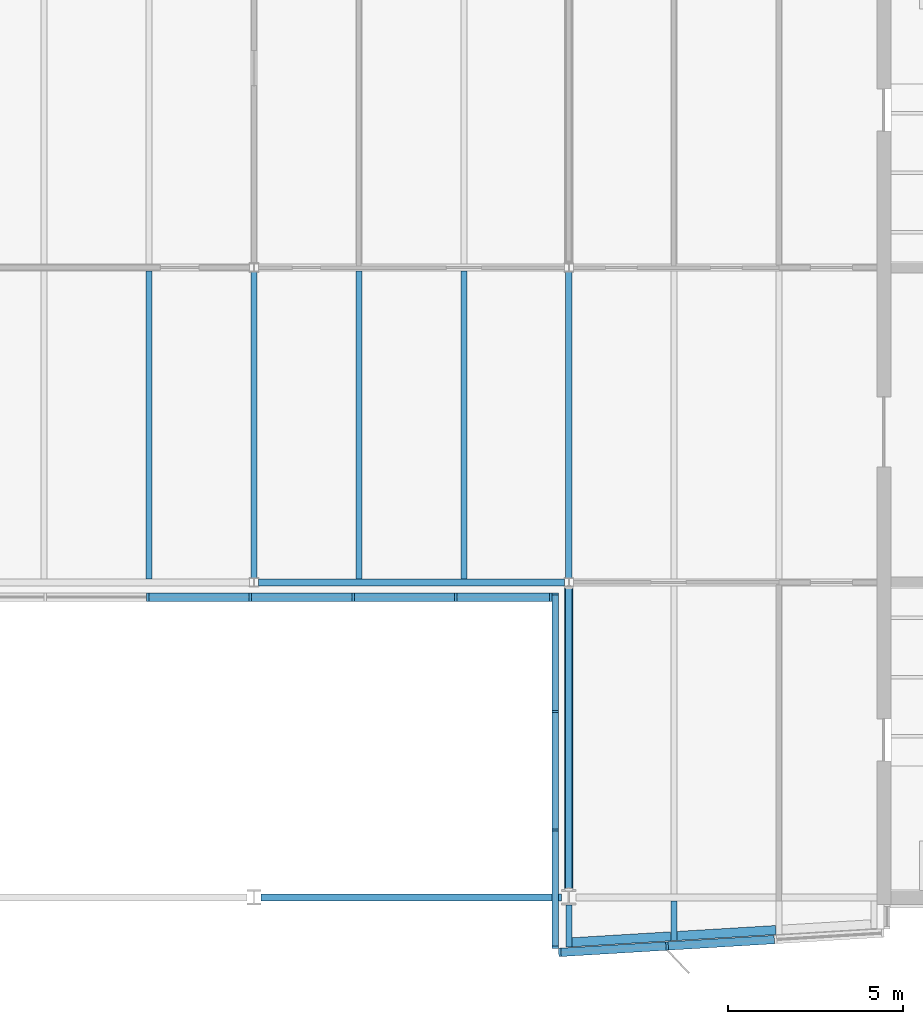
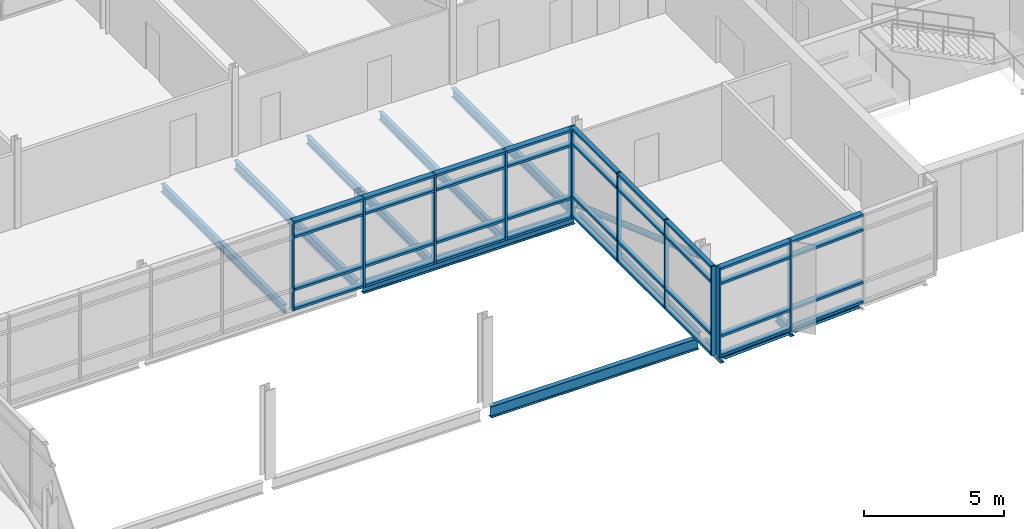
# One storey, part 6 of 20: 48 members, 12 beams, 3 elements without a shape of their own.
"""IFC4 building model written with IfcOpenShell, lengths in metres."""

from ifc_helpers import new_model, si_unit, direction, frame, origin, origin_2d, place, context, subcontext, project, spatial, rectangle, hollow_circle, i_section, extrude, material, material_profile, profile_set, type_object, element, aggregate, save


model = new_model("IFC4")

# Units and contexts
model_context = context("Model", 3, precision=1e-05, world=origin(), true_north=direction((0.0, 1.0)))
body_context = subcontext(model_context, "Body", "Model", "MODEL_VIEW")
ifc_project = project(units=[si_unit("LENGTHUNIT", "METRE"), si_unit("AREAUNIT", "SQUARE_METRE"), si_unit("VOLUMEUNIT", "CUBIC_METRE"), si_unit("PLANEANGLEUNIT", "RADIAN"), si_unit("MASSUNIT", "GRAM", prefix="KILO")], contexts=[model_context])

# Site, building, storey
site_placement = place(None, origin())
site = spatial("IfcSite", under=ifc_project, at=site_placement, CompositionType="ELEMENT")
building_placement = place(site_placement, origin())
building = spatial("IfcBuilding", under=site, at=building_placement, Name="Azimuth Sports and Learning Centre", CompositionType="ELEMENT")
storey_placement = place(building_placement, frame((0.0, 0.0, 71.39990234375)))
storey = spatial("IfcBuildingStorey", under=building, at=storey_placement, Name="L16", CompositionType="ELEMENT", Elevation=71.39990234375)

# Beams
ifc_material_1 = material(Name="Steel S355", Category="steel")
ifc_material_profile_1 = material_profile(ifc_material_1, i_section(OverallWidth=0.179931640625, OverallDepth=0.39990234375, WebThickness=0.008544921875, FlangeThickness=0.013427734375, FilletRadius=0.02099609375, at=origin_2d()), Name="IPE 400")
ifc_profile_set_1 = profile_set([ifc_material_profile_1], Name="Steel S355")
beam_type_1 = type_object("IfcBeamType", Name="Beam IPE 400", PredefinedType="BEAM", material=ifc_profile_set_1)
beam_1_placement = place(storey_placement, frame((90.0, 99.1298828125, -0.329833984375), z_axis=(0.0, 1.0, 0.0), x_axis=(-1.0, 0.0, 0.0)))
element("IfcBeam", 1, at=beam_1_placement, inside=storey, type_object=beam_type_1, Name="Tower tie", PredefinedType="BEAM", context=body_context, shape_type="SweptSolid", body=[
    extrude(i_section(OverallWidth=0.179931640625, OverallDepth=0.39990234375, WebThickness=0.008544921875, FlangeThickness=0.013427734375, FilletRadius=0.02099609375, at=origin_2d()), origin(), (0.0, 0.0, 1.0), 8.740234375),
])
beam_2_placement = place(storey_placement, frame((99.0, 90.217529296875, -0.329833984375), z_axis=(0.0, 1.0, 0.0), x_axis=(-1.0, 0.0, 0.0)))
element("IfcBeam", 2, at=beam_2_placement, inside=storey, type_object=beam_type_1, Name="Tower tie", PredefinedType="BEAM", context=body_context, shape_type="SweptSolid", body=[
    extrude(i_section(OverallWidth=0.179931640625, OverallDepth=0.39990234375, WebThickness=0.008544921875, FlangeThickness=0.013427734375, FilletRadius=0.02099609375, at=origin_2d()), origin(), (0.0, 0.0, 1.0), 8.652587890625),
])
beam_3_placement = place(storey_placement, frame((99.0, 99.1298828125, -0.329833984375), z_axis=(0.0, 1.0, 0.0), x_axis=(-1.0, 0.0, 0.0)))
element("IfcBeam", 3, at=beam_3_placement, inside=storey, type_object=beam_type_1, Name="Tower tie", PredefinedType="BEAM", context=body_context, shape_type="SweptSolid", body=[
    extrude(i_section(OverallWidth=0.179931640625, OverallDepth=0.39990234375, WebThickness=0.008544921875, FlangeThickness=0.013427734375, FilletRadius=0.02099609375, at=origin_2d()), origin(), (0.0, 0.0, 1.0), 8.740234375),
])
ifc_material_2 = material(Name="Steel S355", Category="steel")
ifc_material_profile_2 = material_profile(ifc_material_2, i_section(OverallWidth=0.199951171875, OverallDepth=0.5, WebThickness=0.01025390625, FlangeThickness=0.01611328125, FilletRadius=0.02099609375, at=origin_2d()), Name="IPE 500")
ifc_profile_set_2 = profile_set([ifc_material_profile_2], Name="Steel S355")
beam_type_2 = type_object("IfcBeamType", Name="Beam IPE 500", PredefinedType="BEAM", material=ifc_profile_set_2)
beam_4_placement = place(storey_placement, frame((90.2060546875, 90.0, -0.3798828125), z_axis=(1.0, 0.0, 0.0), x_axis=(0.0, 1.0, 0.0)))
element("IfcBeam", 4, at=beam_4_placement, inside=storey, type_object=beam_type_2, Name="Tower girder L16", PredefinedType="BEAM", context=body_context, shape_type="SweptSolid", body=[
    extrude(i_section(OverallWidth=0.199951171875, OverallDepth=0.5, WebThickness=0.01025390625, FlangeThickness=0.01611328125, FilletRadius=0.02099609375, at=origin_2d()), origin(), (0.0, 0.0, 1.0), 8.587890625),
])
beam_5_placement = place(storey_placement, frame((90.1298828125, 99.0, -0.3798828125), z_axis=(1.0, 0.0, 0.0), x_axis=(0.0, 1.0, 0.0)))
element("IfcBeam", 5, at=beam_5_placement, inside=storey, type_object=beam_type_2, Name="Tower girder L16", PredefinedType="BEAM", context=body_context, shape_type="SweptSolid", body=[
    extrude(i_section(OverallWidth=0.199951171875, OverallDepth=0.5, WebThickness=0.01025390625, FlangeThickness=0.01611328125, FilletRadius=0.02099609375, at=origin_2d()), origin(), (0.0, 0.0, 1.0), 8.740234375),
])

# Member
ifc_material_3 = material(Name="Steel S355", Category="steel")
ifc_material_profile_3 = material_profile(ifc_material_3, hollow_circle(Radius=0.122314453125, WallThickness=0.012451171875, at=origin_2d()), Name="CHS 244.5x12.5")
ifc_profile_set_3 = profile_set([ifc_material_profile_3], Name="Steel S355")
member_type_1 = type_object("IfcMemberType", Name="Brace CHS 244.5x12.5", PredefinedType="BRACE", material=ifc_profile_set_3)
member_1_placement = place(storey_placement, frame((99.0, 90.238037109375, 3.20068359375), z_axis=(0.0, 0.943274861537, -0.332012854558), x_axis=(-1.0, 0.0, 0.0)))
element("IfcMember", 6, at=member_1_placement, inside=storey, type_object=member_type_1, Name="Tower brace 12 L16", PredefinedType="BRACE", context=body_context, shape_type="SweptSolid", body=[
    extrude(hollow_circle(Radius=0.122314453125, WallThickness=0.012451171875, at=origin_2d()), origin(), (0.0, 0.0, 1.0), 9.129150390625),
])

# Beams
ifc_material_4 = material(Name="Steel S355", Category="steel")
ifc_material_profile_4 = material_profile(ifc_material_4, i_section(OverallWidth=0.169921875, OverallDepth=0.360107421875, WebThickness=0.008056640625, FlangeThickness=0.0126953125, FilletRadius=0.01806640625, at=origin_2d()), Name="IPE 360")
ifc_profile_set_4 = profile_set([ifc_material_profile_4], Name="Steel S355")
beam_type_3 = type_object("IfcBeamType", Name="Cantilever stub IPE 360", PredefinedType="JOIST", material=ifc_profile_set_4)
beam_6_placement = place(storey_placement, frame((99.0, 89.782470703125, -0.309814453125), z_axis=(0.0, -1.0, 0.0), x_axis=(1.0, 0.0, 0.0)))
element("IfcBeam", 7, at=beam_6_placement, inside=storey, type_object=beam_type_3, Name="Tower cantilever stub", PredefinedType="JOIST", context=body_context, shape_type="SweptSolid", body=[
    extrude(i_section(OverallWidth=0.169921875, OverallDepth=0.360107421875, WebThickness=0.008056640625, FlangeThickness=0.0126953125, FilletRadius=0.01806640625, at=origin_2d()), origin(), (0.0, 0.0, 1.0), 1.202392578125),
])
beam_7_placement = place(storey_placement, frame((102.0, 89.89990234375, -0.309814453125), z_axis=(0.0, -1.0, 0.0), x_axis=(1.0, 0.0, 0.0)))
element("IfcBeam", 8, at=beam_7_placement, inside=storey, type_object=beam_type_3, Name="Tower cantilever stub", PredefinedType="JOIST", context=body_context, shape_type="SweptSolid", body=[
    extrude(i_section(OverallWidth=0.169921875, OverallDepth=0.360107421875, WebThickness=0.008056640625, FlangeThickness=0.0126953125, FilletRadius=0.01806640625, at=origin_2d()), origin(), (0.0, 0.0, 1.0), 1.139892578125),
])
ifc_material_5 = material(Name="Steel S355", Category="steel")
ifc_material_profile_5 = material_profile(ifc_material_5, i_section(OverallWidth=0.260009765625, OverallDepth=0.25, WebThickness=0.007568359375, FlangeThickness=0.012451171875, FilletRadius=0.02392578125, at=origin_2d()), Name="HEA 260")
ifc_profile_set_5 = profile_set([ifc_material_profile_5], Name="Steel S355")
beam_type_4 = type_object("IfcBeamType", Name="Edge beam HEA 260", PredefinedType="SPANDREL", material=ifc_profile_set_5)
for number, where, z_axis, x_axis, name in (
    (9, (99.0849609375, 88.715087890625, -0.2548828125), (0.998202373506, 0.059933475842, 0.0), (-0.059933475842, 0.998202373506, 0.0), "Tower edge beam"),
    (10, (102.0849609375, 88.89501953125, -0.2548828125), (0.998202373506, 0.059933475842, 0.0), (-0.059933475842, 0.998202373506, 0.0), "Tower edge beam"),
):
    element("IfcBeam", number, at=place(storey_placement, frame(where, z_axis=z_axis, x_axis=x_axis)), inside=storey, type_object=beam_type_4, Name=name, PredefinedType="SPANDREL", context=body_context, shape_type="SweptSolid", body=[
        extrude(i_section(OverallWidth=0.260009765625, OverallDepth=0.25, WebThickness=0.007568359375, FlangeThickness=0.012451171875, FilletRadius=0.02392578125, at=origin_2d()), origin(), (0.0, 0.0, 1.0), 2.835205078125),
    ])
ifc_material_6 = material(Name="Steel S355", Category="steel")
ifc_material_profile_6 = material_profile(ifc_material_6, i_section(OverallWidth=0.169921875, OverallDepth=0.360107421875, WebThickness=0.008056640625, FlangeThickness=0.0126953125, FilletRadius=0.01806640625, at=origin_2d()), Name="IPE 360")
ifc_profile_set_6 = profile_set([ifc_material_profile_6], Name="Steel S355")
beam_type_5 = type_object("IfcBeamType", Name="Joist IPE 360", PredefinedType="JOIST", material=ifc_profile_set_6)
for number, where, z_axis, x_axis, name in (
    (11, (87.0, 99.10009765625, -0.309814453125), (0.0, 1.0, 0.0), (-1.0, 0.0, 0.0), "Tower joist"),
    (12, (93.0, 99.10009765625, -0.309814453125), (0.0, 1.0, 0.0), (-1.0, 0.0, 0.0), "Tower joist"),
    (13, (96.0, 99.10009765625, -0.309814453125), (0.0, 1.0, 0.0), (-1.0, 0.0, 0.0), "Tower joist"),
):
    element("IfcBeam", number, at=place(storey_placement, frame(where, z_axis=z_axis, x_axis=x_axis)), inside=storey, type_object=beam_type_5, Name=name, PredefinedType="JOIST", context=body_context, shape_type="SweptSolid", body=[
        extrude(i_section(OverallWidth=0.169921875, OverallDepth=0.360107421875, WebThickness=0.008056640625, FlangeThickness=0.0126953125, FilletRadius=0.01806640625, at=origin_2d()), origin(), (0.0, 0.0, 1.0), 8.7998046875),
    ])

# Curtain wall, members
ifc_material_7 = material(Name="Aluminium and glass", Category="aluminium")
curtain_wall_type_1 = type_object("IfcCurtainWallType", Name="Curtain wall tower return 180", PredefinedType="NOTDEFINED", material=ifc_material_7)
curtain_wall_1_placement = place(storey_placement, origin())
curtain_wall_1 = element("IfcCurtainWall", 14, at=curtain_wall_1_placement, inside=storey, type_object=curtain_wall_type_1, Name="Curtain wall CW16-005", PredefinedType="NOTDEFINED")
ifc_material_8 = material(Name="Aluminium", Category="aluminium")
ifc_material_profile_7 = material_profile(ifc_material_8, rectangle(XDim=0.179931640625, YDim=0.06005859375, at=origin_2d()), Name="Mullion 60x180")
ifc_profile_set_7 = profile_set([ifc_material_profile_7], Name="Aluminium")
member_type_2 = type_object("IfcMemberType", Name="Mullion 60x180", PredefinedType="MULLION", material=ifc_profile_set_7)
member_2_placement = place(storey_placement, frame((98.610107421875, 98.669921875, 0.0), z_axis=(0.0, 0.0, 1.0), x_axis=(1.0, 0.0, 0.0)))
member_2 = element("IfcMember", 15, at=member_2_placement, type_object=member_type_2, Name="CW16-005 mullion 1", PredefinedType="MULLION", context=body_context, shape_type="SweptSolid", body=[
    extrude(rectangle(XDim=0.179931640625, YDim=0.06005859375, at=origin_2d()), origin(), (0.0, 0.0, 1.0), 3.900146484375),
])
member_3_placement = place(storey_placement, frame((98.610107421875, 95.31396484375, 0.0), z_axis=(0.0, 0.0, 1.0), x_axis=(1.0, 0.0, 0.0)))
member_3 = element("IfcMember", 16, at=member_3_placement, type_object=member_type_2, Name="CW16-005 mullion 2", PredefinedType="MULLION", context=body_context, shape_type="SweptSolid", body=[
    extrude(rectangle(XDim=0.179931640625, YDim=0.06005859375, at=origin_2d()), origin(), (0.0, 0.0, 1.0), 3.900146484375),
])
member_4_placement = place(storey_placement, frame((98.610107421875, 91.927978515625, 0.0), z_axis=(0.0, 0.0, 1.0), x_axis=(1.0, 0.0, 0.0)))
member_4 = element("IfcMember", 17, at=member_4_placement, type_object=member_type_2, Name="CW16-005 mullion 3", PredefinedType="MULLION", context=body_context, shape_type="SweptSolid", body=[
    extrude(rectangle(XDim=0.179931640625, YDim=0.06005859375, at=origin_2d()), origin(), (0.0, 0.0, 1.0), 3.900146484375),
])
member_5_placement = place(storey_placement, frame((98.610107421875, 88.572021484375, 0.0), z_axis=(0.0, 0.0, 1.0), x_axis=(1.0, 0.0, 0.0)))
member_5 = element("IfcMember", 18, at=member_5_placement, type_object=member_type_2, Name="CW16-005 mullion 4", PredefinedType="MULLION", context=body_context, shape_type="SweptSolid", body=[
    extrude(rectangle(XDim=0.179931640625, YDim=0.06005859375, at=origin_2d()), origin(), (0.0, 0.0, 1.0), 3.900146484375),
])

ifc_material_9 = material(Name="Aluminium and glass", Category="aluminium")
curtain_wall_type_2 = type_object("IfcCurtainWallType", Name="Curtain wall tower south 240", PredefinedType="NOTDEFINED", material=ifc_material_9)
curtain_wall_2_placement = place(storey_placement, origin())
curtain_wall_2 = element("IfcCurtainWall", 19, at=curtain_wall_2_placement, inside=storey, type_object=curtain_wall_type_2, Name="Curtain wall CW16-004", PredefinedType="NOTDEFINED")
ifc_material_10 = material(Name="Aluminium", Category="aluminium")
ifc_material_profile_8 = material_profile(ifc_material_10, rectangle(XDim=0.239990234375, YDim=0.070068359375, at=origin_2d()), Name="Mullion 70x240")
ifc_profile_set_8 = profile_set([ifc_material_profile_8], Name="Aluminium")
member_type_3 = type_object("IfcMemberType", Name="Mullion 70x240", PredefinedType="MULLION", material=ifc_profile_set_8)
member_6_placement = place(storey_placement, frame((86.966552734375, 98.580078125, 0.0), z_axis=(0.0, 0.0, 1.0), x_axis=(0.0, 1.0, 0.0)))
member_6 = element("IfcMember", 20, at=member_6_placement, type_object=member_type_3, Name="CW16-004 mullion 6", PredefinedType="MULLION", context=body_context, shape_type="SweptSolid", body=[
    extrude(rectangle(XDim=0.239990234375, YDim=0.070068359375, at=origin_2d()), origin(), (0.0, 0.0, 1.0), 3.900146484375),
])
member_7_placement = place(storey_placement, frame((89.89990234375, 98.580078125, 0.0), z_axis=(0.0, 0.0, 1.0), x_axis=(0.0, 1.0, 0.0)))
member_7 = element("IfcMember", 21, at=member_7_placement, type_object=member_type_3, Name="CW16-004 mullion 7", PredefinedType="MULLION", context=body_context, shape_type="SweptSolid", body=[
    extrude(rectangle(XDim=0.239990234375, YDim=0.070068359375, at=origin_2d()), origin(), (0.0, 0.0, 1.0), 3.900146484375),
])
member_8_placement = place(storey_placement, frame((92.833251953125, 98.580078125, 0.0), z_axis=(0.0, 0.0, 1.0), x_axis=(0.0, 1.0, 0.0)))
member_8 = element("IfcMember", 22, at=member_8_placement, type_object=member_type_3, Name="CW16-004 mullion 8", PredefinedType="MULLION", context=body_context, shape_type="SweptSolid", body=[
    extrude(rectangle(XDim=0.239990234375, YDim=0.070068359375, at=origin_2d()), origin(), (0.0, 0.0, 1.0), 3.900146484375),
])
member_9_placement = place(storey_placement, frame((95.7666015625, 98.580078125, 0.0), z_axis=(0.0, 0.0, 1.0), x_axis=(0.0, 1.0, 0.0)))
member_9 = element("IfcMember", 23, at=member_9_placement, type_object=member_type_3, Name="CW16-004 mullion 9", PredefinedType="MULLION", context=body_context, shape_type="SweptSolid", body=[
    extrude(rectangle(XDim=0.239990234375, YDim=0.070068359375, at=origin_2d()), origin(), (0.0, 0.0, 1.0), 3.900146484375),
])
member_10_placement = place(storey_placement, frame((98.485107421875, 98.580078125, 0.0), z_axis=(0.0, 0.0, 1.0), x_axis=(0.0, 1.0, 0.0)))
member_10 = element("IfcMember", 24, at=member_10_placement, type_object=member_type_3, Name="CW16-004 mullion 10", PredefinedType="MULLION", context=body_context, shape_type="SweptSolid", body=[
    extrude(rectangle(XDim=0.239990234375, YDim=0.070068359375, at=origin_2d()), origin(), (0.0, 0.0, 1.0), 3.900146484375),
])

curtain_wall_3_placement = place(storey_placement, origin())
curtain_wall_3 = element("IfcCurtainWall", 25, at=curtain_wall_3_placement, inside=storey, type_object=curtain_wall_type_2, Name="Curtain wall CW16-006", PredefinedType="NOTDEFINED")
member_11_placement = place(storey_placement, frame((98.7421875, 88.42431640625, 0.0), z_axis=(0.0, 0.0, 1.0), x_axis=(-0.059891991812, 0.998204863401, 0.0)))
member_11 = element("IfcMember", 26, at=member_11_placement, type_object=member_type_3, Name="CW16-006 mullion 1", PredefinedType="MULLION", context=body_context, shape_type="SweptSolid", body=[
    extrude(rectangle(XDim=0.239990234375, YDim=0.070068359375, at=origin_2d()), origin(), (0.0, 0.0, 1.0), 3.900146484375),
])
member_12_placement = place(storey_placement, frame((101.80712890625, 88.608154296875, 0.0), z_axis=(0.0, 0.0, 1.0), x_axis=(-0.059891991812, 0.998204863401, 0.0)))
member_12 = element("IfcMember", 27, at=member_12_placement, type_object=member_type_3, Name="CW16-006 mullion 2", PredefinedType="MULLION", context=body_context, shape_type="SweptSolid", body=[
    extrude(rectangle(XDim=0.239990234375, YDim=0.070068359375, at=origin_2d()), origin(), (0.0, 0.0, 1.0), 3.900146484375),
])

# Member
ifc_material_11 = material(Name="Aluminium", Category="aluminium")
ifc_material_profile_9 = material_profile(ifc_material_11, rectangle(XDim=0.179931640625, YDim=0.10009765625, at=origin_2d()), Name="Transom 100x180")
ifc_profile_set_9 = profile_set([ifc_material_profile_9], Name="Aluminium")
member_type_4 = type_object("IfcMemberType", Name="Transom 100x180", PredefinedType="USERDEFINED", material=ifc_profile_set_9)
member_13_placement = place(storey_placement, frame((98.610107421875, 98.639892578125, 0.050048828125), z_axis=(0.0, -1.0, 0.0), x_axis=(1.0, 0.0, 0.0)))
member_13 = element("IfcMember", 28, at=member_13_placement, type_object=member_type_4, Name="CW16-005 transom 1.1", ObjectType="TRANSOM", PredefinedType="USERDEFINED", context=body_context, shape_type="SweptSolid", body=[
    extrude(rectangle(XDim=0.179931640625, YDim=0.10009765625, at=origin_2d()), origin(), (0.0, 0.0, 1.0), 3.2958984375),
])

member_14_placement = place(storey_placement, frame((98.610107421875, 98.639892578125, 0.900146484375), z_axis=(0.0, -1.0, 0.0), x_axis=(1.0, 0.0, 0.0)))
member_14 = element("IfcMember", 29, at=member_14_placement, type_object=member_type_4, Name="CW16-005 transom 1.2", ObjectType="TRANSOM", PredefinedType="USERDEFINED", context=body_context, shape_type="SweptSolid", body=[
    extrude(rectangle(XDim=0.179931640625, YDim=0.10009765625, at=origin_2d()), origin(), (0.0, 0.0, 1.0), 3.2958984375),
])

member_15_placement = place(storey_placement, frame((98.610107421875, 98.639892578125, 3.2001953125), z_axis=(0.0, -1.0, 0.0), x_axis=(1.0, 0.0, 0.0)))
member_15 = element("IfcMember", 30, at=member_15_placement, type_object=member_type_4, Name="CW16-005 transom 1.3", ObjectType="TRANSOM", PredefinedType="USERDEFINED", context=body_context, shape_type="SweptSolid", body=[
    extrude(rectangle(XDim=0.179931640625, YDim=0.10009765625, at=origin_2d()), origin(), (0.0, 0.0, 1.0), 3.2958984375),
])

member_16_placement = place(storey_placement, frame((98.610107421875, 98.639892578125, 3.85009765625), z_axis=(0.0, -1.0, 0.0), x_axis=(1.0, 0.0, 0.0)))
member_16 = element("IfcMember", 31, at=member_16_placement, type_object=member_type_4, Name="CW16-005 transom 1.4", ObjectType="TRANSOM", PredefinedType="USERDEFINED", context=body_context, shape_type="SweptSolid", body=[
    extrude(rectangle(XDim=0.179931640625, YDim=0.10009765625, at=origin_2d()), origin(), (0.0, 0.0, 1.0), 3.2958984375),
])

member_17_placement = place(storey_placement, frame((98.610107421875, 95.283935546875, 0.050048828125), z_axis=(0.0, -1.0, 0.0), x_axis=(1.0, 0.0, 0.0)))
member_17 = element("IfcMember", 32, at=member_17_placement, type_object=member_type_4, Name="CW16-005 transom 2.1", ObjectType="TRANSOM", PredefinedType="USERDEFINED", context=body_context, shape_type="SweptSolid", body=[
    extrude(rectangle(XDim=0.179931640625, YDim=0.10009765625, at=origin_2d()), origin(), (0.0, 0.0, 1.0), 3.325927734375),
])

member_18_placement = place(storey_placement, frame((98.610107421875, 95.283935546875, 0.900146484375), z_axis=(0.0, -1.0, 0.0), x_axis=(1.0, 0.0, 0.0)))
member_18 = element("IfcMember", 33, at=member_18_placement, type_object=member_type_4, Name="CW16-005 transom 2.2", ObjectType="TRANSOM", PredefinedType="USERDEFINED", context=body_context, shape_type="SweptSolid", body=[
    extrude(rectangle(XDim=0.179931640625, YDim=0.10009765625, at=origin_2d()), origin(), (0.0, 0.0, 1.0), 3.325927734375),
])

member_19_placement = place(storey_placement, frame((98.610107421875, 95.283935546875, 3.2001953125), z_axis=(0.0, -1.0, 0.0), x_axis=(1.0, 0.0, 0.0)))
member_19 = element("IfcMember", 34, at=member_19_placement, type_object=member_type_4, Name="CW16-005 transom 2.3", ObjectType="TRANSOM", PredefinedType="USERDEFINED", context=body_context, shape_type="SweptSolid", body=[
    extrude(rectangle(XDim=0.179931640625, YDim=0.10009765625, at=origin_2d()), origin(), (0.0, 0.0, 1.0), 3.325927734375),
])

member_20_placement = place(storey_placement, frame((98.610107421875, 95.283935546875, 3.85009765625), z_axis=(0.0, -1.0, 0.0), x_axis=(1.0, 0.0, 0.0)))
member_20 = element("IfcMember", 35, at=member_20_placement, type_object=member_type_4, Name="CW16-005 transom 2.4", ObjectType="TRANSOM", PredefinedType="USERDEFINED", context=body_context, shape_type="SweptSolid", body=[
    extrude(rectangle(XDim=0.179931640625, YDim=0.10009765625, at=origin_2d()), origin(), (0.0, 0.0, 1.0), 3.325927734375),
])

member_21_placement = place(storey_placement, frame((98.610107421875, 91.89794921875, 0.050048828125), z_axis=(0.0, -1.0, 0.0), x_axis=(1.0, 0.0, 0.0)))
member_21 = element("IfcMember", 36, at=member_21_placement, type_object=member_type_4, Name="CW16-005 transom 3.1", ObjectType="TRANSOM", PredefinedType="USERDEFINED", context=body_context, shape_type="SweptSolid", body=[
    extrude(rectangle(XDim=0.179931640625, YDim=0.10009765625, at=origin_2d()), origin(), (0.0, 0.0, 1.0), 3.2958984375),
])

member_22_placement = place(storey_placement, frame((98.610107421875, 91.89794921875, 0.900146484375), z_axis=(0.0, -1.0, 0.0), x_axis=(1.0, 0.0, 0.0)))
member_22 = element("IfcMember", 37, at=member_22_placement, type_object=member_type_4, Name="CW16-005 transom 3.2", ObjectType="TRANSOM", PredefinedType="USERDEFINED", context=body_context, shape_type="SweptSolid", body=[
    extrude(rectangle(XDim=0.179931640625, YDim=0.10009765625, at=origin_2d()), origin(), (0.0, 0.0, 1.0), 3.2958984375),
])

member_23_placement = place(storey_placement, frame((98.610107421875, 91.89794921875, 3.2001953125), z_axis=(0.0, -1.0, 0.0), x_axis=(1.0, 0.0, 0.0)))
member_23 = element("IfcMember", 38, at=member_23_placement, type_object=member_type_4, Name="CW16-005 transom 3.3", ObjectType="TRANSOM", PredefinedType="USERDEFINED", context=body_context, shape_type="SweptSolid", body=[
    extrude(rectangle(XDim=0.179931640625, YDim=0.10009765625, at=origin_2d()), origin(), (0.0, 0.0, 1.0), 3.2958984375),
])

member_24_placement = place(storey_placement, frame((98.610107421875, 91.89794921875, 3.85009765625), z_axis=(0.0, -1.0, 0.0), x_axis=(1.0, 0.0, 0.0)))
member_24 = element("IfcMember", 39, at=member_24_placement, type_object=member_type_4, Name="CW16-005 transom 3.4", ObjectType="TRANSOM", PredefinedType="USERDEFINED", context=body_context, shape_type="SweptSolid", body=[
    extrude(rectangle(XDim=0.179931640625, YDim=0.10009765625, at=origin_2d()), origin(), (0.0, 0.0, 1.0), 3.2958984375),
])

aggregate(curtain_wall_1, [member_2, member_3, member_4, member_5, member_13, member_14, member_15, member_16, member_17, member_18, member_19, member_20, member_21, member_22, member_23, member_24])

ifc_material_12 = material(Name="Aluminium", Category="aluminium")
ifc_material_profile_10 = material_profile(ifc_material_12, rectangle(XDim=0.239990234375, YDim=0.10009765625, at=origin_2d()), Name="Transom 100x240")
ifc_profile_set_10 = profile_set([ifc_material_profile_10], Name="Aluminium")
member_type_5 = type_object("IfcMemberType", Name="Transom 100x240", PredefinedType="USERDEFINED", material=ifc_profile_set_10)
member_25_placement = place(storey_placement, frame((87.001708984375, 98.580078125, 0.050048828125), z_axis=(1.0, 0.0, 0.0), x_axis=(0.0, 1.0, 0.0)))
member_25 = element("IfcMember", 40, at=member_25_placement, type_object=member_type_5, Name="CW16-004 transom 6.1", ObjectType="TRANSOM", PredefinedType="USERDEFINED", context=body_context, shape_type="SweptSolid", body=[
    extrude(rectangle(XDim=0.239990234375, YDim=0.10009765625, at=origin_2d()), origin(), (0.0, 0.0, 1.0), 2.86328125),
])

member_26_placement = place(storey_placement, frame((87.001708984375, 98.580078125, 0.900146484375), z_axis=(1.0, 0.0, 0.0), x_axis=(0.0, 1.0, 0.0)))
member_26 = element("IfcMember", 41, at=member_26_placement, type_object=member_type_5, Name="CW16-004 transom 6.2", ObjectType="TRANSOM", PredefinedType="USERDEFINED", context=body_context, shape_type="SweptSolid", body=[
    extrude(rectangle(XDim=0.239990234375, YDim=0.10009765625, at=origin_2d()), origin(), (0.0, 0.0, 1.0), 2.86328125),
])

member_27_placement = place(storey_placement, frame((87.001708984375, 98.580078125, 3.2001953125), z_axis=(1.0, 0.0, 0.0), x_axis=(0.0, 1.0, 0.0)))
member_27 = element("IfcMember", 42, at=member_27_placement, type_object=member_type_5, Name="CW16-004 transom 6.3", ObjectType="TRANSOM", PredefinedType="USERDEFINED", context=body_context, shape_type="SweptSolid", body=[
    extrude(rectangle(XDim=0.239990234375, YDim=0.10009765625, at=origin_2d()), origin(), (0.0, 0.0, 1.0), 2.86328125),
])

member_28_placement = place(storey_placement, frame((87.001708984375, 98.580078125, 3.85009765625), z_axis=(1.0, 0.0, 0.0), x_axis=(0.0, 1.0, 0.0)))
member_28 = element("IfcMember", 43, at=member_28_placement, type_object=member_type_5, Name="CW16-004 transom 6.4", ObjectType="TRANSOM", PredefinedType="USERDEFINED", context=body_context, shape_type="SweptSolid", body=[
    extrude(rectangle(XDim=0.239990234375, YDim=0.10009765625, at=origin_2d()), origin(), (0.0, 0.0, 1.0), 2.86328125),
])

member_29_placement = place(storey_placement, frame((89.93505859375, 98.580078125, 0.050048828125), z_axis=(1.0, 0.0, 0.0), x_axis=(0.0, 1.0, 0.0)))
member_29 = element("IfcMember", 44, at=member_29_placement, type_object=member_type_5, Name="CW16-004 transom 7.1", ObjectType="TRANSOM", PredefinedType="USERDEFINED", context=body_context, shape_type="SweptSolid", body=[
    extrude(rectangle(XDim=0.239990234375, YDim=0.10009765625, at=origin_2d()), origin(), (0.0, 0.0, 1.0), 2.86328125),
])

member_30_placement = place(storey_placement, frame((89.93505859375, 98.580078125, 0.900146484375), z_axis=(1.0, 0.0, 0.0), x_axis=(0.0, 1.0, 0.0)))
member_30 = element("IfcMember", 45, at=member_30_placement, type_object=member_type_5, Name="CW16-004 transom 7.2", ObjectType="TRANSOM", PredefinedType="USERDEFINED", context=body_context, shape_type="SweptSolid", body=[
    extrude(rectangle(XDim=0.239990234375, YDim=0.10009765625, at=origin_2d()), origin(), (0.0, 0.0, 1.0), 2.86328125),
])

member_31_placement = place(storey_placement, frame((89.93505859375, 98.580078125, 3.2001953125), z_axis=(1.0, 0.0, 0.0), x_axis=(0.0, 1.0, 0.0)))
member_31 = element("IfcMember", 46, at=member_31_placement, type_object=member_type_5, Name="CW16-004 transom 7.3", ObjectType="TRANSOM", PredefinedType="USERDEFINED", context=body_context, shape_type="SweptSolid", body=[
    extrude(rectangle(XDim=0.239990234375, YDim=0.10009765625, at=origin_2d()), origin(), (0.0, 0.0, 1.0), 2.86328125),
])

member_32_placement = place(storey_placement, frame((89.93505859375, 98.580078125, 3.85009765625), z_axis=(1.0, 0.0, 0.0), x_axis=(0.0, 1.0, 0.0)))
member_32 = element("IfcMember", 47, at=member_32_placement, type_object=member_type_5, Name="CW16-004 transom 7.4", ObjectType="TRANSOM", PredefinedType="USERDEFINED", context=body_context, shape_type="SweptSolid", body=[
    extrude(rectangle(XDim=0.239990234375, YDim=0.10009765625, at=origin_2d()), origin(), (0.0, 0.0, 1.0), 2.86328125),
])

member_33_placement = place(storey_placement, frame((92.868408203125, 98.580078125, 0.050048828125), z_axis=(1.0, 0.0, 0.0), x_axis=(0.0, 1.0, 0.0)))
member_33 = element("IfcMember", 48, at=member_33_placement, type_object=member_type_5, Name="CW16-004 transom 8.1", ObjectType="TRANSOM", PredefinedType="USERDEFINED", context=body_context, shape_type="SweptSolid", body=[
    extrude(rectangle(XDim=0.239990234375, YDim=0.10009765625, at=origin_2d()), origin(), (0.0, 0.0, 1.0), 2.86328125),
])

member_34_placement = place(storey_placement, frame((92.868408203125, 98.580078125, 0.900146484375), z_axis=(1.0, 0.0, 0.0), x_axis=(0.0, 1.0, 0.0)))
member_34 = element("IfcMember", 49, at=member_34_placement, type_object=member_type_5, Name="CW16-004 transom 8.2", ObjectType="TRANSOM", PredefinedType="USERDEFINED", context=body_context, shape_type="SweptSolid", body=[
    extrude(rectangle(XDim=0.239990234375, YDim=0.10009765625, at=origin_2d()), origin(), (0.0, 0.0, 1.0), 2.86328125),
])

member_35_placement = place(storey_placement, frame((92.868408203125, 98.580078125, 3.2001953125), z_axis=(1.0, 0.0, 0.0), x_axis=(0.0, 1.0, 0.0)))
member_35 = element("IfcMember", 50, at=member_35_placement, type_object=member_type_5, Name="CW16-004 transom 8.3", ObjectType="TRANSOM", PredefinedType="USERDEFINED", context=body_context, shape_type="SweptSolid", body=[
    extrude(rectangle(XDim=0.239990234375, YDim=0.10009765625, at=origin_2d()), origin(), (0.0, 0.0, 1.0), 2.86328125),
])

member_36_placement = place(storey_placement, frame((92.868408203125, 98.580078125, 3.85009765625), z_axis=(1.0, 0.0, 0.0), x_axis=(0.0, 1.0, 0.0)))
member_36 = element("IfcMember", 51, at=member_36_placement, type_object=member_type_5, Name="CW16-004 transom 8.4", ObjectType="TRANSOM", PredefinedType="USERDEFINED", context=body_context, shape_type="SweptSolid", body=[
    extrude(rectangle(XDim=0.239990234375, YDim=0.10009765625, at=origin_2d()), origin(), (0.0, 0.0, 1.0), 2.86328125),
])

member_37_placement = place(storey_placement, frame((95.8017578125, 98.580078125, 0.050048828125), z_axis=(1.0, 0.0, 0.0), x_axis=(0.0, 1.0, 0.0)))
member_37 = element("IfcMember", 52, at=member_37_placement, type_object=member_type_5, Name="CW16-004 transom 9.1", ObjectType="TRANSOM", PredefinedType="USERDEFINED", context=body_context, shape_type="SweptSolid", body=[
    extrude(rectangle(XDim=0.239990234375, YDim=0.10009765625, at=origin_2d()), origin(), (0.0, 0.0, 1.0), 2.648193359375),
])

member_38_placement = place(storey_placement, frame((95.8017578125, 98.580078125, 0.900146484375), z_axis=(1.0, 0.0, 0.0), x_axis=(0.0, 1.0, 0.0)))
member_38 = element("IfcMember", 53, at=member_38_placement, type_object=member_type_5, Name="CW16-004 transom 9.2", ObjectType="TRANSOM", PredefinedType="USERDEFINED", context=body_context, shape_type="SweptSolid", body=[
    extrude(rectangle(XDim=0.239990234375, YDim=0.10009765625, at=origin_2d()), origin(), (0.0, 0.0, 1.0), 2.648193359375),
])

member_39_placement = place(storey_placement, frame((95.8017578125, 98.580078125, 3.2001953125), z_axis=(1.0, 0.0, 0.0), x_axis=(0.0, 1.0, 0.0)))
member_39 = element("IfcMember", 54, at=member_39_placement, type_object=member_type_5, Name="CW16-004 transom 9.3", ObjectType="TRANSOM", PredefinedType="USERDEFINED", context=body_context, shape_type="SweptSolid", body=[
    extrude(rectangle(XDim=0.239990234375, YDim=0.10009765625, at=origin_2d()), origin(), (0.0, 0.0, 1.0), 2.648193359375),
])

member_40_placement = place(storey_placement, frame((95.8017578125, 98.580078125, 3.85009765625), z_axis=(1.0, 0.0, 0.0), x_axis=(0.0, 1.0, 0.0)))
member_40 = element("IfcMember", 55, at=member_40_placement, type_object=member_type_5, Name="CW16-004 transom 9.4", ObjectType="TRANSOM", PredefinedType="USERDEFINED", context=body_context, shape_type="SweptSolid", body=[
    extrude(rectangle(XDim=0.239990234375, YDim=0.10009765625, at=origin_2d()), origin(), (0.0, 0.0, 1.0), 2.648193359375),
])

aggregate(curtain_wall_2, [member_6, member_7, member_8, member_9, member_10, member_25, member_26, member_27, member_28, member_29, member_30, member_31, member_32, member_33, member_34, member_35, member_36, member_37, member_38, member_39, member_40])

member_41_placement = place(storey_placement, frame((98.777099609375, 88.426513671875, 0.050048828125), z_axis=(0.998205234603, 0.05988580475, 0.0), x_axis=(-0.05988580475, 0.998205234603, 0.0)))
member_41 = element("IfcMember", 56, at=member_41_placement, type_object=member_type_5, Name="CW16-006 transom 1.1", ObjectType="TRANSOM", PredefinedType="USERDEFINED", context=body_context, shape_type="SweptSolid", body=[
    extrude(rectangle(XDim=0.239990234375, YDim=0.10009765625, at=origin_2d()), origin(), (0.0, 0.0, 1.0), 3.00048828125),
])

member_42_placement = place(storey_placement, frame((98.777099609375, 88.426513671875, 0.900146484375), z_axis=(0.998205234603, 0.05988580475, 0.0), x_axis=(-0.05988580475, 0.998205234603, 0.0)))
member_42 = element("IfcMember", 57, at=member_42_placement, type_object=member_type_5, Name="CW16-006 transom 1.2", ObjectType="TRANSOM", PredefinedType="USERDEFINED", context=body_context, shape_type="SweptSolid", body=[
    extrude(rectangle(XDim=0.239990234375, YDim=0.10009765625, at=origin_2d()), origin(), (0.0, 0.0, 1.0), 3.00048828125),
])

member_43_placement = place(storey_placement, frame((98.777099609375, 88.426513671875, 3.2001953125), z_axis=(0.998205234603, 0.05988580475, 0.0), x_axis=(-0.05988580475, 0.998205234603, 0.0)))
member_43 = element("IfcMember", 58, at=member_43_placement, type_object=member_type_5, Name="CW16-006 transom 1.3", ObjectType="TRANSOM", PredefinedType="USERDEFINED", context=body_context, shape_type="SweptSolid", body=[
    extrude(rectangle(XDim=0.239990234375, YDim=0.10009765625, at=origin_2d()), origin(), (0.0, 0.0, 1.0), 3.00048828125),
])

member_44_placement = place(storey_placement, frame((98.777099609375, 88.426513671875, 3.85009765625), z_axis=(0.998205234603, 0.05988580475, 0.0), x_axis=(-0.05988580475, 0.998205234603, 0.0)))
member_44 = element("IfcMember", 59, at=member_44_placement, type_object=member_type_5, Name="CW16-006 transom 1.4", ObjectType="TRANSOM", PredefinedType="USERDEFINED", context=body_context, shape_type="SweptSolid", body=[
    extrude(rectangle(XDim=0.239990234375, YDim=0.10009765625, at=origin_2d()), origin(), (0.0, 0.0, 1.0), 3.00048828125),
])

member_45_placement = place(storey_placement, frame((101.842041015625, 88.6103515625, 0.050048828125), z_axis=(0.998203498963, 0.059914728225, 0.0), x_axis=(-0.059914728225, 0.998203498963, 0.0)))
member_45 = element("IfcMember", 60, at=member_45_placement, type_object=member_type_5, Name="CW16-006 transom 2.1", ObjectType="TRANSOM", PredefinedType="USERDEFINED", context=body_context, shape_type="SweptSolid", body=[
    extrude(rectangle(XDim=0.239990234375, YDim=0.10009765625, at=origin_2d()), origin(), (0.0, 0.0, 1.0), 3.03564453125),
])

member_46_placement = place(storey_placement, frame((101.842041015625, 88.6103515625, 0.900146484375), z_axis=(0.998203498963, 0.059914728225, 0.0), x_axis=(-0.059914728225, 0.998203498963, 0.0)))
member_46 = element("IfcMember", 61, at=member_46_placement, type_object=member_type_5, Name="CW16-006 transom 2.2", ObjectType="TRANSOM", PredefinedType="USERDEFINED", context=body_context, shape_type="SweptSolid", body=[
    extrude(rectangle(XDim=0.239990234375, YDim=0.10009765625, at=origin_2d()), origin(), (0.0, 0.0, 1.0), 3.03564453125),
])

member_47_placement = place(storey_placement, frame((101.842041015625, 88.6103515625, 3.2001953125), z_axis=(0.998203498963, 0.059914728225, 0.0), x_axis=(-0.059914728225, 0.998203498963, 0.0)))
member_47 = element("IfcMember", 62, at=member_47_placement, type_object=member_type_5, Name="CW16-006 transom 2.3", ObjectType="TRANSOM", PredefinedType="USERDEFINED", context=body_context, shape_type="SweptSolid", body=[
    extrude(rectangle(XDim=0.239990234375, YDim=0.10009765625, at=origin_2d()), origin(), (0.0, 0.0, 1.0), 3.03564453125),
])

member_48_placement = place(storey_placement, frame((101.842041015625, 88.6103515625, 3.85009765625), z_axis=(0.998203498963, 0.059914728225, 0.0), x_axis=(-0.059914728225, 0.998203498963, 0.0)))
member_48 = element("IfcMember", 63, at=member_48_placement, type_object=member_type_5, Name="CW16-006 transom 2.4", ObjectType="TRANSOM", PredefinedType="USERDEFINED", context=body_context, shape_type="SweptSolid", body=[
    extrude(rectangle(XDim=0.239990234375, YDim=0.10009765625, at=origin_2d()), origin(), (0.0, 0.0, 1.0), 3.03564453125),
])

aggregate(curtain_wall_3, [member_11, member_12, member_41, member_42, member_43, member_44, member_45, member_46, member_47, member_48])

save(model, "model.ifc")
